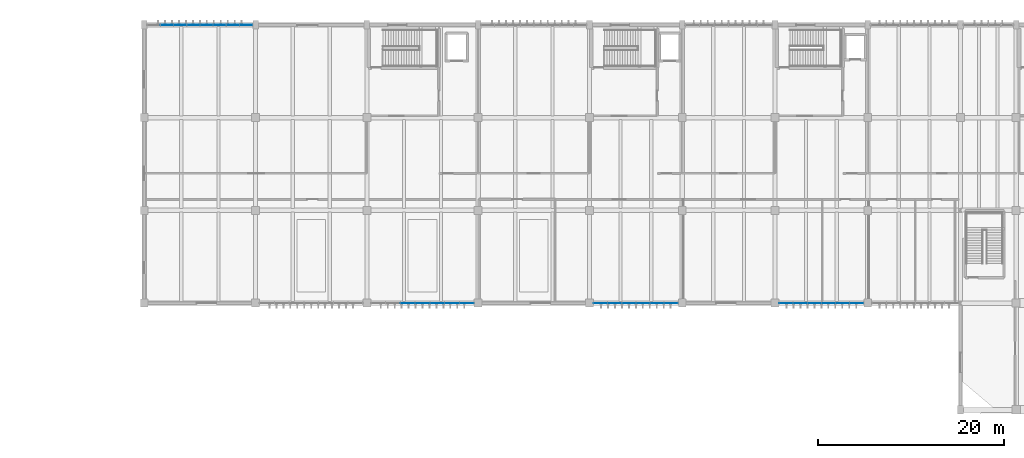
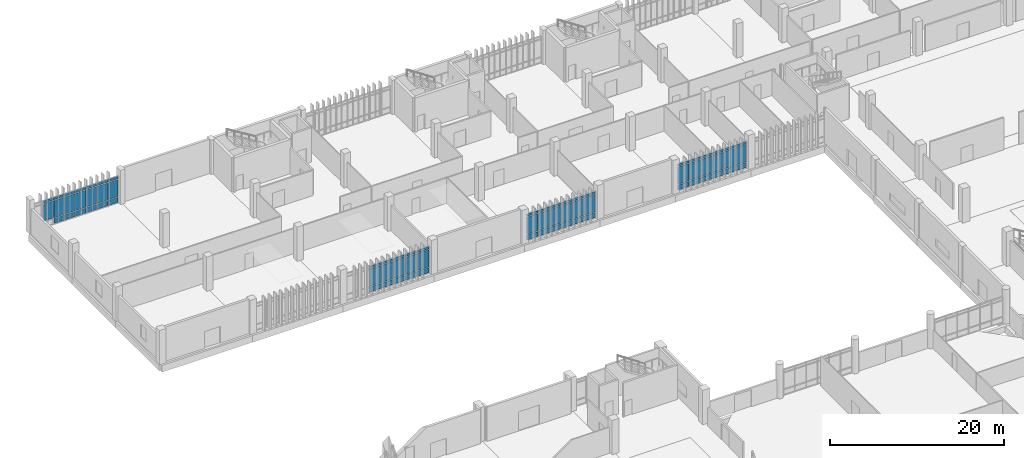
# One storey, part 64 of 87: 71 plates, 4 elements without a shape of their own.
"""IFC4 building model written with IfcOpenShell, lengths in metres."""

import ifcopenshell
import ifcopenshell.guid

model = None  # the IFC model being written
_history = None  # IfcOwnerHistory: only IFC2X3 demands one
_inside = {}  # id of a spatial element -> (the spatial element, [elements in it])
_under = {}  # id of a project, library or spatial element -> (it, [spatial elements below it])
_declared = {}  # id of a project -> (the project, [libraries it declares])
_typed = {}  # id of a type object -> (the type object, [elements of that type])
_made_of = {}  # id of a material, layer set ... -> (it, [elements and type objects made of it])


def new_model(schema):
    """Start an empty IFC model of exactly this schema.

    Asked for "IFC4X3", IfcOpenShell would pick the latest addendum, in which some entities
    have other attributes; the version numbers below select the first issue.
    IFC2X3 requires an IfcOwnerHistory on every rooted entity: one is made here for all.
    """
    global model, _history
    if schema == "IFC4X3":
        model = ifcopenshell.file(schema_version=(4, 3, 0, 0))
    else:
        model = ifcopenshell.file(schema=schema)
    _inside.clear()
    _under.clear()
    _declared.clear()
    _typed.clear()
    _made_of.clear()
    _history = None
    if model.schema == "IFC2X3":
        org = make("IfcOrganization", Name="unknown")
        user = make(
            "IfcPersonAndOrganization",
            ThePerson=make("IfcPerson", FamilyName="unknown"),
            TheOrganization=org,
        )
        app = make(
            "IfcApplication",
            ApplicationDeveloper=org,
            Version="unknown",
            ApplicationFullName="unknown",
            ApplicationIdentifier="unknown",
        )
        _history = make(
            "IfcOwnerHistory",
            OwningUser=user,
            OwningApplication=app,
            ChangeAction="ADDED",
            CreationDate=0,
        )
    return model


def make(cls, **values):
    """One entity of the class cls with the attributes given. An attribute that is None is left unset."""
    return model.create_entity(
        cls, **{name: value for name, value in values.items() if value is not None}
    )


def rooted(cls, **values):
    """An entity with a GlobalId (a new one), such as an element, a storey or a relation."""
    return make(cls, GlobalId=ifcopenshell.guid.new(), OwnerHistory=_history, **values)


def si_unit(unit_type, name, prefix=None):
    """IfcSIUnit, for example si_unit("LENGTHUNIT", "METRE", prefix="MILLI")."""
    return make("IfcSIUnit", UnitType=unit_type, Prefix=prefix, Name=name)


def assignment(units):
    """IfcUnitAssignment: the units of a project."""
    return None if units is None else make("IfcUnitAssignment", Units=units)


def point(xyz):
    """IfcCartesianPoint."""
    return None if xyz is None else make("IfcCartesianPoint", Coordinates=xyz)


def direction(xyz):
    """IfcDirection."""
    return None if xyz is None else make("IfcDirection", DirectionRatios=xyz)


def frame(location, z_axis=None, x_axis=None):
    """IfcAxis2Placement3D, a coordinate frame: its origin and axes. An axis left out is left unset."""
    return make(
        "IfcAxis2Placement3D",
        Location=point(location),
        Axis=direction(z_axis),
        RefDirection=direction(x_axis),
    )


def frame_2d(location, x_axis=None):
    """IfcAxis2Placement2D, a coordinate frame in the plane: its origin and x axis."""
    return make(
        "IfcAxis2Placement2D", Location=point(location), RefDirection=direction(x_axis)
    )


def origin():
    """The frame at (0, 0, 0) with its axes left unset."""
    return frame((0.0, 0.0, 0.0))


def origin_2d():
    """The frame at (0, 0) in the plane with its x axis left unset."""
    return frame_2d((0.0, 0.0))


def place(relative_to, where):
    """IfcLocalPlacement: puts the frame where relative to a parent placement (None: the world)."""
    return make(
        "IfcLocalPlacement", PlacementRelTo=relative_to, RelativePlacement=where
    )


def context(
    kind, dimensions, precision=None, world=None, true_north=None, identifier=None
):
    """IfcGeometricRepresentationContext, for example the 3D "Model" context."""
    return make(
        "IfcGeometricRepresentationContext",
        ContextIdentifier=identifier,
        ContextType=kind,
        CoordinateSpaceDimension=dimensions,
        Precision=precision,
        WorldCoordinateSystem=world,
        TrueNorth=true_north,
    )


def subcontext(parent, identifier, kind, view, scale=None):
    """IfcGeometricRepresentationSubContext, for example "Body" below "Model"."""
    return make(
        "IfcGeometricRepresentationSubContext",
        ContextIdentifier=identifier,
        ContextType=kind,
        ParentContext=parent,
        TargetScale=scale,
        TargetView=view,
    )


def project(units=None, contexts=None):
    """IfcProject with its units and contexts."""
    return rooted(
        "IfcProject",
        Name="project",
        RepresentationContexts=contexts,
        UnitsInContext=assignment(units),
    )


def spatial(cls, under=None, at=None, **own):
    """A site, building, storey or space (cls), placed at a placement, below another one or the project."""
    s = rooted(cls, ObjectPlacement=at, **own)
    if under is not None:
        _under.setdefault(under.id(), (under, []))[1].append(s)
    return s


def profile(cls, at=None, kind="AREA", **sizes):
    """A parametric profile (cls). Its sizes go by their IFC names, for example OverallWidth=200.0."""
    return make(cls, ProfileType=kind, Position=at, **sizes)


def rectangle(**sizes):
    """IfcRectangleProfileDef."""
    return profile("IfcRectangleProfileDef", **sizes)


def extrude(swept, where, along, depth):
    """IfcExtrudedAreaSolid: the profile swept, set in the frame where, extruded along a direction by depth."""
    return make(
        "IfcExtrudedAreaSolid",
        SweptArea=swept,
        Position=where,
        ExtrudedDirection=direction(along),
        Depth=depth,
    )


def shape(context_of_items, identifier, shape_type, items):
    """IfcShapeRepresentation: the items that make up one representation, for example the "Body"."""
    return make(
        "IfcShapeRepresentation",
        ContextOfItems=context_of_items,
        RepresentationIdentifier=identifier,
        RepresentationType=shape_type,
        Items=items,
    )


def material(Name=None, Category=None):
    """IfcMaterial."""
    return make("IfcMaterial", Name=Name, Category=Category)


def layer(
    of_material, thickness, ventilated=None, Name=None, Category=None, Priority=None
):
    """IfcMaterialLayer: one layer of a wall or slab, of a material (None: an air gap)."""
    return make(
        "IfcMaterialLayer",
        Material=of_material,
        LayerThickness=thickness,
        IsVentilated=ventilated,
        Name=Name,
        Category=Category,
        Priority=Priority,
    )


def layer_set(layers, Name=None):
    """IfcMaterialLayerSet."""
    return make("IfcMaterialLayerSet", MaterialLayers=layers, LayerSetName=Name)


def made_of(thing, what):
    """Note that an element or type object is made of a material, layer set ...; save() writes the relation."""
    if what is not None:
        _made_of.setdefault(what.id(), (what, []))[1].append(thing)
    return thing


def type_object(cls, material=None, **own):
    """A type object (cls), such as IfcWallType, which elements share."""
    return made_of(rooted(cls, **own), material)


def element(
    cls,
    number,
    at=None,
    inside=None,
    cuts=None,
    type_object=None,
    material=None,
    context=None,
    identifier="Body",
    shape_type=None,
    held_by="IfcProductDefinitionShape",
    body=None,
    shapes=None,
    **own,
):
    """One element of the class cls, such as IfcWall. Its Tag is "e" and its number.

    at: its placement. inside: the storey or other place that contains it. cuts: it is an
    opening in that element (IfcRelVoidsElement). A single representation is given by context,
    identifier, shape_type and body (its items); several are given by shapes. held_by: the class
    of the entity that holds the representations. save() writes the other relations.
    """
    e = rooted(cls, Tag="e%d" % number, ObjectPlacement=at, **own)
    if body is not None:
        shapes = [shape(context, identifier, shape_type, body)]
    if shapes is not None:
        e.Representation = make(held_by, Representations=shapes)
    if inside is not None:
        _inside.setdefault(inside.id(), (inside, []))[1].append(e)
    if cuts is not None:
        rooted(
            "IfcRelVoidsElement", RelatingBuildingElement=cuts, RelatedOpeningElement=e
        )
    if type_object is not None:
        _typed.setdefault(type_object.id(), (type_object, []))[1].append(e)
    return made_of(e, material)


def aggregate(whole, parts):
    """IfcRelAggregates: a whole, such as a stair, and the parts it consists of."""
    return rooted("IfcRelAggregates", RelatingObject=whole, RelatedObjects=parts)


def save(model, path):
    """Write the relations noted so far, then the file.

    IfcRelAggregates (storeys below a building ...), IfcRelContainedInSpatialStructure (elements
    in a storey), IfcRelDefinesByType, IfcRelAssociatesMaterial and IfcRelDeclares: one each for
    every whole, place, type object, material and project.
    """
    for whole, parts in _under.values():
        aggregate(whole, parts)
    for where, things in _inside.values():
        rooted(
            "IfcRelContainedInSpatialStructure",
            RelatedElements=things,
            RelatingStructure=where,
        )
    for kind, things in _typed.values():
        rooted("IfcRelDefinesByType", RelatedObjects=things, RelatingType=kind)
    for what, things in _made_of.values():
        rooted("IfcRelAssociatesMaterial", RelatedObjects=things, RelatingMaterial=what)
    for by, libraries in _declared.values():
        rooted("IfcRelDeclares", RelatingContext=by, RelatedDefinitions=libraries)
    model.write(path)


model = new_model("IFC4")

# Units and contexts
model_context = context("Model", 3, precision=1e-05, world=origin(), true_north=direction((0.0, 1.0)))
body_context = subcontext(model_context, "Body", "Model", "MODEL_VIEW")
ifc_project = project(units=[si_unit("LENGTHUNIT", "METRE"), si_unit("AREAUNIT", "SQUARE_METRE"), si_unit("VOLUMEUNIT", "CUBIC_METRE"), si_unit("PLANEANGLEUNIT", "RADIAN"), si_unit("MASSUNIT", "GRAM", prefix="KILO")], contexts=[model_context])

# Site, building, storey
site_placement = place(None, origin())
site = spatial("IfcSite", under=ifc_project, at=site_placement, CompositionType="ELEMENT")
building_placement = place(site_placement, origin())
building = spatial("IfcBuilding", under=site, at=building_placement, Name="Mersad Railyard Sports Hall", CompositionType="ELEMENT")
storey_placement = place(building_placement, origin())
storey = spatial("IfcBuildingStorey", under=building, at=storey_placement, Name="L00", CompositionType="ELEMENT", Elevation=0.0)

# Curtain wall, plates
ifc_material_1 = material(Name="Aluminium 6063-T6", Category="aluminium")
ifc_layer_1 = layer(ifc_material_1, 0.199951171875)
ifc_layer_set_1 = layer_set([ifc_layer_1], Name="Aluminium 6063-T6")
curtain_wall_type_1 = type_object("IfcCurtainWallType", Name="ARC-CW-CW28", PredefinedType="USERDEFINED", material=ifc_layer_set_1)
curtain_wall_1_placement = place(storey_placement, origin())
curtain_wall_1 = element("IfcCurtainWall", 1, at=curtain_wall_1_placement, inside=storey, type_object=curtain_wall_type_1, Name="Curtain wall CW28-0083", ObjectType="CURTAIN WALL", PredefinedType="USERDEFINED")
ifc_material_2 = material(Name="Solar-control glass", Category="glass")
ifc_layer_2 = layer(ifc_material_2, 0.028076171875)
ifc_layer_set_2 = layer_set([ifc_layer_2], Name="Solar-control glass")
plate_type = type_object("IfcPlateType", Name="ARC-CW-PNL01", PredefinedType="CURTAIN_PANEL", material=ifc_layer_set_2)
plate_1_placement = place(storey_placement, frame((45.449951171875, 115.0, 0.89501953125), z_axis=(0.0, 0.0, 1.0), x_axis=(1.0, 0.0, 0.0)))
plate_1 = element("IfcPlate", 2, at=plate_1_placement, type_object=plate_type, Name="CW28 Glazed panel 2-2", PredefinedType="CURTAIN_PANEL", context=body_context, shape_type="SweptSolid", body=[
    extrude(rectangle(XDim=1.3759765625, YDim=0.028076171875, at=origin_2d()), origin(), (0.0, 0.0, 1.0), 2.409912109375),
])
plate_2_placement = place(storey_placement, frame((45.449951171875, 115.0, 3.39501953125), z_axis=(0.0, 0.0, 1.0), x_axis=(1.0, 0.0, 0.0)))
plate_2 = element("IfcPlate", 3, at=plate_2_placement, type_object=plate_type, Name="CW28 Glazed panel 2-3", PredefinedType="CURTAIN_PANEL", context=body_context, shape_type="SweptSolid", body=[
    extrude(rectangle(XDim=1.3759765625, YDim=0.028076171875, at=origin_2d()), origin(), (0.0, 0.0, 1.0), 0.35009765625),
])
plate_3_placement = place(storey_placement, frame((46.8701171875, 115.0, 0.0849609375), z_axis=(0.0, 0.0, 1.0), x_axis=(1.0, 0.0, 0.0)))
plate_3 = element("IfcPlate", 4, at=plate_3_placement, type_object=plate_type, Name="CW28 Glazed panel 3-1", PredefinedType="CURTAIN_PANEL", context=body_context, shape_type="SweptSolid", body=[
    extrude(rectangle(XDim=1.3759765625, YDim=0.028076171875, at=origin_2d()), origin(), (0.0, 0.0, 1.0), 0.719970703125),
])
plate_4_placement = place(storey_placement, frame((46.8701171875, 115.0, 0.89501953125), z_axis=(0.0, 0.0, 1.0), x_axis=(1.0, 0.0, 0.0)))
plate_4 = element("IfcPlate", 5, at=plate_4_placement, type_object=plate_type, Name="CW28 Glazed panel 3-2", PredefinedType="CURTAIN_PANEL", context=body_context, shape_type="SweptSolid", body=[
    extrude(rectangle(XDim=1.3759765625, YDim=0.028076171875, at=origin_2d()), origin(), (0.0, 0.0, 1.0), 2.409912109375),
])
plate_5_placement = place(storey_placement, frame((46.8701171875, 115.0, 3.39501953125), z_axis=(0.0, 0.0, 1.0), x_axis=(1.0, 0.0, 0.0)))
plate_5 = element("IfcPlate", 6, at=plate_5_placement, type_object=plate_type, Name="CW28 Glazed panel 3-3", PredefinedType="CURTAIN_PANEL", context=body_context, shape_type="SweptSolid", body=[
    extrude(rectangle(XDim=1.3759765625, YDim=0.028076171875, at=origin_2d()), origin(), (0.0, 0.0, 1.0), 0.35009765625),
])
plate_6_placement = place(storey_placement, frame((48.2900390625, 115.0, 0.0849609375), z_axis=(0.0, 0.0, 1.0), x_axis=(1.0, 0.0, 0.0)))
plate_6 = element("IfcPlate", 7, at=plate_6_placement, type_object=plate_type, Name="CW28 Glazed panel 4-1", PredefinedType="CURTAIN_PANEL", context=body_context, shape_type="SweptSolid", body=[
    extrude(rectangle(XDim=1.3759765625, YDim=0.028076171875, at=origin_2d()), origin(), (0.0, 0.0, 1.0), 0.719970703125),
])
plate_7_placement = place(storey_placement, frame((48.2900390625, 115.0, 0.89501953125), z_axis=(0.0, 0.0, 1.0), x_axis=(1.0, 0.0, 0.0)))
plate_7 = element("IfcPlate", 8, at=plate_7_placement, type_object=plate_type, Name="CW28 Glazed panel 4-2", PredefinedType="CURTAIN_PANEL", context=body_context, shape_type="SweptSolid", body=[
    extrude(rectangle(XDim=1.3759765625, YDim=0.028076171875, at=origin_2d()), origin(), (0.0, 0.0, 1.0), 2.409912109375),
])
plate_8_placement = place(storey_placement, frame((48.2900390625, 115.0, 3.39501953125), z_axis=(0.0, 0.0, 1.0), x_axis=(1.0, 0.0, 0.0)))
plate_8 = element("IfcPlate", 9, at=plate_8_placement, type_object=plate_type, Name="CW28 Glazed panel 4-3", PredefinedType="CURTAIN_PANEL", context=body_context, shape_type="SweptSolid", body=[
    extrude(rectangle(XDim=1.3759765625, YDim=0.028076171875, at=origin_2d()), origin(), (0.0, 0.0, 1.0), 0.35009765625),
])
plate_9_placement = place(storey_placement, frame((49.7099609375, 115.0, 0.0849609375), z_axis=(0.0, 0.0, 1.0), x_axis=(1.0, 0.0, 0.0)))
plate_9 = element("IfcPlate", 10, at=plate_9_placement, type_object=plate_type, Name="CW28 Glazed panel 5-1", PredefinedType="CURTAIN_PANEL", context=body_context, shape_type="SweptSolid", body=[
    extrude(rectangle(XDim=1.3759765625, YDim=0.028076171875, at=origin_2d()), origin(), (0.0, 0.0, 1.0), 0.719970703125),
])
plate_10_placement = place(storey_placement, frame((49.7099609375, 115.0, 0.89501953125), z_axis=(0.0, 0.0, 1.0), x_axis=(1.0, 0.0, 0.0)))
plate_10 = element("IfcPlate", 11, at=plate_10_placement, type_object=plate_type, Name="CW28 Glazed panel 5-2", PredefinedType="CURTAIN_PANEL", context=body_context, shape_type="SweptSolid", body=[
    extrude(rectangle(XDim=1.3759765625, YDim=0.028076171875, at=origin_2d()), origin(), (0.0, 0.0, 1.0), 2.409912109375),
])
plate_11_placement = place(storey_placement, frame((49.7099609375, 115.0, 3.39501953125), z_axis=(0.0, 0.0, 1.0), x_axis=(1.0, 0.0, 0.0)))
plate_11 = element("IfcPlate", 12, at=plate_11_placement, type_object=plate_type, Name="CW28 Glazed panel 5-3", PredefinedType="CURTAIN_PANEL", context=body_context, shape_type="SweptSolid", body=[
    extrude(rectangle(XDim=1.3759765625, YDim=0.028076171875, at=origin_2d()), origin(), (0.0, 0.0, 1.0), 0.35009765625),
])
plate_12_placement = place(storey_placement, frame((51.1298828125, 115.0, 0.0849609375), z_axis=(0.0, 0.0, 1.0), x_axis=(1.0, 0.0, 0.0)))
plate_12 = element("IfcPlate", 13, at=plate_12_placement, type_object=plate_type, Name="CW28 Glazed panel 6-1", PredefinedType="CURTAIN_PANEL", context=body_context, shape_type="SweptSolid", body=[
    extrude(rectangle(XDim=1.3759765625, YDim=0.028076171875, at=origin_2d()), origin(), (0.0, 0.0, 1.0), 0.719970703125),
])
plate_13_placement = place(storey_placement, frame((51.1298828125, 115.0, 0.89501953125), z_axis=(0.0, 0.0, 1.0), x_axis=(1.0, 0.0, 0.0)))
plate_13 = element("IfcPlate", 14, at=plate_13_placement, type_object=plate_type, Name="CW28 Glazed panel 6-2", PredefinedType="CURTAIN_PANEL", context=body_context, shape_type="SweptSolid", body=[
    extrude(rectangle(XDim=1.3759765625, YDim=0.028076171875, at=origin_2d()), origin(), (0.0, 0.0, 1.0), 2.409912109375),
])
plate_14_placement = place(storey_placement, frame((51.1298828125, 115.0, 3.39501953125), z_axis=(0.0, 0.0, 1.0), x_axis=(1.0, 0.0, 0.0)))
plate_14 = element("IfcPlate", 15, at=plate_14_placement, type_object=plate_type, Name="CW28 Glazed panel 6-3", PredefinedType="CURTAIN_PANEL", context=body_context, shape_type="SweptSolid", body=[
    extrude(rectangle(XDim=1.3759765625, YDim=0.028076171875, at=origin_2d()), origin(), (0.0, 0.0, 1.0), 0.35009765625),
])
plate_15_placement = place(storey_placement, frame((52.550048828125, 115.0, 0.0849609375), z_axis=(0.0, 0.0, 1.0), x_axis=(1.0, 0.0, 0.0)))
plate_15 = element("IfcPlate", 16, at=plate_15_placement, type_object=plate_type, Name="CW28 Glazed panel 7-1", PredefinedType="CURTAIN_PANEL", context=body_context, shape_type="SweptSolid", body=[
    extrude(rectangle(XDim=1.3759765625, YDim=0.028076171875, at=origin_2d()), origin(), (0.0, 0.0, 1.0), 0.719970703125),
])
plate_16_placement = place(storey_placement, frame((52.550048828125, 115.0, 0.89501953125), z_axis=(0.0, 0.0, 1.0), x_axis=(1.0, 0.0, 0.0)))
plate_16 = element("IfcPlate", 17, at=plate_16_placement, type_object=plate_type, Name="CW28 Glazed panel 7-2", PredefinedType="CURTAIN_PANEL", context=body_context, shape_type="SweptSolid", body=[
    extrude(rectangle(XDim=1.3759765625, YDim=0.028076171875, at=origin_2d()), origin(), (0.0, 0.0, 1.0), 2.409912109375),
])
plate_17_placement = place(storey_placement, frame((52.550048828125, 115.0, 3.39501953125), z_axis=(0.0, 0.0, 1.0), x_axis=(1.0, 0.0, 0.0)))
plate_17 = element("IfcPlate", 18, at=plate_17_placement, type_object=plate_type, Name="CW28 Glazed panel 7-3", PredefinedType="CURTAIN_PANEL", context=body_context, shape_type="SweptSolid", body=[
    extrude(rectangle(XDim=1.3759765625, YDim=0.028076171875, at=origin_2d()), origin(), (0.0, 0.0, 1.0), 0.35009765625),
])
plate_18_placement = place(storey_placement, frame((53.969970703125, 115.0, 0.0849609375), z_axis=(0.0, 0.0, 1.0), x_axis=(1.0, 0.0, 0.0)))
plate_18 = element("IfcPlate", 19, at=plate_18_placement, type_object=plate_type, Name="CW28 Glazed panel 8-1", PredefinedType="CURTAIN_PANEL", context=body_context, shape_type="SweptSolid", body=[
    extrude(rectangle(XDim=1.3759765625, YDim=0.028076171875, at=origin_2d()), origin(), (0.0, 0.0, 1.0), 0.719970703125),
])
plate_19_placement = place(storey_placement, frame((53.969970703125, 115.0, 0.89501953125), z_axis=(0.0, 0.0, 1.0), x_axis=(1.0, 0.0, 0.0)))
plate_19 = element("IfcPlate", 20, at=plate_19_placement, type_object=plate_type, Name="CW28 Glazed panel 8-2", PredefinedType="CURTAIN_PANEL", context=body_context, shape_type="SweptSolid", body=[
    extrude(rectangle(XDim=1.3759765625, YDim=0.028076171875, at=origin_2d()), origin(), (0.0, 0.0, 1.0), 2.409912109375),
])
plate_20_placement = place(storey_placement, frame((53.969970703125, 115.0, 3.39501953125), z_axis=(0.0, 0.0, 1.0), x_axis=(1.0, 0.0, 0.0)))
plate_20 = element("IfcPlate", 21, at=plate_20_placement, type_object=plate_type, Name="CW28 Glazed panel 8-3", PredefinedType="CURTAIN_PANEL", context=body_context, shape_type="SweptSolid", body=[
    extrude(rectangle(XDim=1.3759765625, YDim=0.028076171875, at=origin_2d()), origin(), (0.0, 0.0, 1.0), 0.35009765625),
])
aggregate(curtain_wall_1, [plate_1, plate_2, plate_3, plate_4, plate_5, plate_6, plate_7, plate_8, plate_9, plate_10, plate_11, plate_12, plate_13, plate_14, plate_15, plate_16, plate_17, plate_18, plate_19, plate_20])

ifc_layer_3 = layer(ifc_material_1, 0.159912109375)
ifc_layer_set_3 = layer_set([ifc_layer_3], Name="Aluminium 6063-T6")
curtain_wall_type_2 = type_object("IfcCurtainWallType", Name="ARC-CW-CW31", PredefinedType="USERDEFINED", material=ifc_layer_set_3)
curtain_wall_2_placement = place(storey_placement, origin())
curtain_wall_2 = element("IfcCurtainWall", 22, at=curtain_wall_2_placement, inside=storey, type_object=curtain_wall_type_2, Name="Curtain wall CW31-0091", ObjectType="CURTAIN WALL", PredefinedType="USERDEFINED")
plate_21_placement = place(storey_placement, frame((77.761474609375, 85.0, 0.0849609375), z_axis=(0.0, 0.0, 1.0), x_axis=(-1.0, 0.0, 0.0)))
plate_21 = element("IfcPlate", 23, at=plate_21_placement, type_object=plate_type, Name="CW31 Glazed panel 1-1", PredefinedType="CURTAIN_PANEL", context=body_context, shape_type="SweptSolid", body=[
    extrude(rectangle(XDim=1.543212890625, YDim=0.028076171875, at=origin_2d()), origin(), (0.0, 0.0, 1.0), 0.719970703125),
])
plate_22_placement = place(storey_placement, frame((77.761474609375, 85.0, 0.89501953125), z_axis=(0.0, 0.0, 1.0), x_axis=(-1.0, 0.0, 0.0)))
plate_22 = element("IfcPlate", 24, at=plate_22_placement, type_object=plate_type, Name="CW31 Glazed panel 1-2", PredefinedType="CURTAIN_PANEL", context=body_context, shape_type="SweptSolid", body=[
    extrude(rectangle(XDim=1.543212890625, YDim=0.028076171875, at=origin_2d()), origin(), (0.0, 0.0, 1.0), 2.409912109375),
])
plate_23_placement = place(storey_placement, frame((77.761474609375, 85.0, 3.39501953125), z_axis=(0.0, 0.0, 1.0), x_axis=(-1.0, 0.0, 0.0)))
plate_23 = element("IfcPlate", 25, at=plate_23_placement, type_object=plate_type, Name="CW31 Glazed panel 1-3", PredefinedType="CURTAIN_PANEL", context=body_context, shape_type="SweptSolid", body=[
    extrude(rectangle(XDim=1.543212890625, YDim=0.028076171875, at=origin_2d()), origin(), (0.0, 0.0, 1.0), 0.35009765625),
])
plate_24_placement = place(storey_placement, frame((76.17431640625, 85.0, 0.0849609375), z_axis=(0.0, 0.0, 1.0), x_axis=(-1.0, 0.0, 0.0)))
plate_24 = element("IfcPlate", 26, at=plate_24_placement, type_object=plate_type, Name="CW31 Glazed panel 2-1", PredefinedType="CURTAIN_PANEL", context=body_context, shape_type="SweptSolid", body=[
    extrude(rectangle(XDim=1.543212890625, YDim=0.028076171875, at=origin_2d()), origin(), (0.0, 0.0, 1.0), 0.719970703125),
])
plate_25_placement = place(storey_placement, frame((76.17431640625, 85.0, 0.89501953125), z_axis=(0.0, 0.0, 1.0), x_axis=(-1.0, 0.0, 0.0)))
plate_25 = element("IfcPlate", 27, at=plate_25_placement, type_object=plate_type, Name="CW31 Glazed panel 2-2", PredefinedType="CURTAIN_PANEL", context=body_context, shape_type="SweptSolid", body=[
    extrude(rectangle(XDim=1.543212890625, YDim=0.028076171875, at=origin_2d()), origin(), (0.0, 0.0, 1.0), 2.409912109375),
])
plate_26_placement = place(storey_placement, frame((76.17431640625, 85.0, 3.39501953125), z_axis=(0.0, 0.0, 1.0), x_axis=(-1.0, 0.0, 0.0)))
plate_26 = element("IfcPlate", 28, at=plate_26_placement, type_object=plate_type, Name="CW31 Glazed panel 2-3", PredefinedType="CURTAIN_PANEL", context=body_context, shape_type="SweptSolid", body=[
    extrude(rectangle(XDim=1.543212890625, YDim=0.028076171875, at=origin_2d()), origin(), (0.0, 0.0, 1.0), 0.35009765625),
])
plate_27_placement = place(storey_placement, frame((74.587158203125, 85.0, 0.0849609375), z_axis=(0.0, 0.0, 1.0), x_axis=(-1.0, 0.0, 0.0)))
plate_27 = element("IfcPlate", 29, at=plate_27_placement, type_object=plate_type, Name="CW31 Glazed panel 3-1", PredefinedType="CURTAIN_PANEL", context=body_context, shape_type="SweptSolid", body=[
    extrude(rectangle(XDim=1.543212890625, YDim=0.028076171875, at=origin_2d()), origin(), (0.0, 0.0, 1.0), 0.719970703125),
])
plate_28_placement = place(storey_placement, frame((74.587158203125, 85.0, 0.89501953125), z_axis=(0.0, 0.0, 1.0), x_axis=(-1.0, 0.0, 0.0)))
plate_28 = element("IfcPlate", 30, at=plate_28_placement, type_object=plate_type, Name="CW31 Glazed panel 3-2", PredefinedType="CURTAIN_PANEL", context=body_context, shape_type="SweptSolid", body=[
    extrude(rectangle(XDim=1.543212890625, YDim=0.028076171875, at=origin_2d()), origin(), (0.0, 0.0, 1.0), 2.409912109375),
])
plate_29_placement = place(storey_placement, frame((74.587158203125, 85.0, 3.39501953125), z_axis=(0.0, 0.0, 1.0), x_axis=(-1.0, 0.0, 0.0)))
plate_29 = element("IfcPlate", 31, at=plate_29_placement, type_object=plate_type, Name="CW31 Glazed panel 3-3", PredefinedType="CURTAIN_PANEL", context=body_context, shape_type="SweptSolid", body=[
    extrude(rectangle(XDim=1.543212890625, YDim=0.028076171875, at=origin_2d()), origin(), (0.0, 0.0, 1.0), 0.35009765625),
])
plate_30_placement = place(storey_placement, frame((73.0, 85.0, 0.0849609375), z_axis=(0.0, 0.0, 1.0), x_axis=(-1.0, 0.0, 0.0)))
plate_30 = element("IfcPlate", 32, at=plate_30_placement, type_object=plate_type, Name="CW31 Glazed panel 4-1", PredefinedType="CURTAIN_PANEL", context=body_context, shape_type="SweptSolid", body=[
    extrude(rectangle(XDim=1.543212890625, YDim=0.028076171875, at=origin_2d()), origin(), (0.0, 0.0, 1.0), 0.719970703125),
])
plate_31_placement = place(storey_placement, frame((73.0, 85.0, 0.89501953125), z_axis=(0.0, 0.0, 1.0), x_axis=(-1.0, 0.0, 0.0)))
plate_31 = element("IfcPlate", 33, at=plate_31_placement, type_object=plate_type, Name="CW31 Glazed panel 4-2", PredefinedType="CURTAIN_PANEL", context=body_context, shape_type="SweptSolid", body=[
    extrude(rectangle(XDim=1.543212890625, YDim=0.028076171875, at=origin_2d()), origin(), (0.0, 0.0, 1.0), 2.409912109375),
])
plate_32_placement = place(storey_placement, frame((73.0, 85.0, 3.39501953125), z_axis=(0.0, 0.0, 1.0), x_axis=(-1.0, 0.0, 0.0)))
plate_32 = element("IfcPlate", 34, at=plate_32_placement, type_object=plate_type, Name="CW31 Glazed panel 4-3", PredefinedType="CURTAIN_PANEL", context=body_context, shape_type="SweptSolid", body=[
    extrude(rectangle(XDim=1.543212890625, YDim=0.028076171875, at=origin_2d()), origin(), (0.0, 0.0, 1.0), 0.35009765625),
])
plate_33_placement = place(storey_placement, frame((71.412841796875, 85.0, 0.0849609375), z_axis=(0.0, 0.0, 1.0), x_axis=(-1.0, 0.0, 0.0)))
plate_33 = element("IfcPlate", 35, at=plate_33_placement, type_object=plate_type, Name="CW31 Glazed panel 5-1", PredefinedType="CURTAIN_PANEL", context=body_context, shape_type="SweptSolid", body=[
    extrude(rectangle(XDim=1.543212890625, YDim=0.028076171875, at=origin_2d()), origin(), (0.0, 0.0, 1.0), 0.719970703125),
])
plate_34_placement = place(storey_placement, frame((71.412841796875, 85.0, 0.89501953125), z_axis=(0.0, 0.0, 1.0), x_axis=(-1.0, 0.0, 0.0)))
plate_34 = element("IfcPlate", 36, at=plate_34_placement, type_object=plate_type, Name="CW31 Glazed panel 5-2", PredefinedType="CURTAIN_PANEL", context=body_context, shape_type="SweptSolid", body=[
    extrude(rectangle(XDim=1.543212890625, YDim=0.028076171875, at=origin_2d()), origin(), (0.0, 0.0, 1.0), 2.409912109375),
])
plate_35_placement = place(storey_placement, frame((71.412841796875, 85.0, 3.39501953125), z_axis=(0.0, 0.0, 1.0), x_axis=(-1.0, 0.0, 0.0)))
plate_35 = element("IfcPlate", 37, at=plate_35_placement, type_object=plate_type, Name="CW31 Glazed panel 5-3", PredefinedType="CURTAIN_PANEL", context=body_context, shape_type="SweptSolid", body=[
    extrude(rectangle(XDim=1.543212890625, YDim=0.028076171875, at=origin_2d()), origin(), (0.0, 0.0, 1.0), 0.35009765625),
])
aggregate(curtain_wall_2, [plate_21, plate_22, plate_23, plate_24, plate_25, plate_26, plate_27, plate_28, plate_29, plate_30, plate_31, plate_32, plate_33, plate_34, plate_35])

ifc_layer_4 = layer(ifc_material_1, 0.159912109375)
ifc_layer_set_4 = layer_set([ifc_layer_4], Name="Aluminium 6063-T6")
curtain_wall_type_3 = type_object("IfcCurtainWallType", Name="ARC-CW-CW32", PredefinedType="USERDEFINED", material=ifc_layer_set_4)
curtain_wall_3_placement = place(storey_placement, origin())
curtain_wall_3 = element("IfcCurtainWall", 38, at=curtain_wall_3_placement, inside=storey, type_object=curtain_wall_type_3, Name="Curtain wall CW32-0092", ObjectType="CURTAIN WALL", PredefinedType="USERDEFINED")
plate_36_placement = place(storey_placement, frame((99.7958984375, 85.0, 0.0849609375), z_axis=(0.0, 0.0, 1.0), x_axis=(-1.0, 0.0, 0.0)))
plate_36 = element("IfcPlate", 39, at=plate_36_placement, type_object=plate_type, Name="CW32 Glazed panel 1-1", PredefinedType="CURTAIN_PANEL", context=body_context, shape_type="SweptSolid", body=[
    extrude(rectangle(XDim=1.474365234375, YDim=0.028076171875, at=origin_2d()), origin(), (0.0, 0.0, 1.0), 0.719970703125),
])
plate_37_placement = place(storey_placement, frame((99.7958984375, 85.0, 0.89501953125), z_axis=(0.0, 0.0, 1.0), x_axis=(-1.0, 0.0, 0.0)))
plate_37 = element("IfcPlate", 40, at=plate_37_placement, type_object=plate_type, Name="CW32 Glazed panel 1-2", PredefinedType="CURTAIN_PANEL", context=body_context, shape_type="SweptSolid", body=[
    extrude(rectangle(XDim=1.474365234375, YDim=0.028076171875, at=origin_2d()), origin(), (0.0, 0.0, 1.0), 2.409912109375),
])
plate_38_placement = place(storey_placement, frame((99.7958984375, 85.0, 3.39501953125), z_axis=(0.0, 0.0, 1.0), x_axis=(-1.0, 0.0, 0.0)))
plate_38 = element("IfcPlate", 41, at=plate_38_placement, type_object=plate_type, Name="CW32 Glazed panel 1-3", PredefinedType="CURTAIN_PANEL", context=body_context, shape_type="SweptSolid", body=[
    extrude(rectangle(XDim=1.474365234375, YDim=0.028076171875, at=origin_2d()), origin(), (0.0, 0.0, 1.0), 0.35009765625),
])
plate_39_placement = place(storey_placement, frame((98.277587890625, 85.0, 0.0849609375), z_axis=(0.0, 0.0, 1.0), x_axis=(-1.0, 0.0, 0.0)))
plate_39 = element("IfcPlate", 42, at=plate_39_placement, type_object=plate_type, Name="CW32 Glazed panel 2-1", PredefinedType="CURTAIN_PANEL", context=body_context, shape_type="SweptSolid", body=[
    extrude(rectangle(XDim=1.474365234375, YDim=0.028076171875, at=origin_2d()), origin(), (0.0, 0.0, 1.0), 0.719970703125),
])
plate_40_placement = place(storey_placement, frame((98.277587890625, 85.0, 0.89501953125), z_axis=(0.0, 0.0, 1.0), x_axis=(-1.0, 0.0, 0.0)))
plate_40 = element("IfcPlate", 43, at=plate_40_placement, type_object=plate_type, Name="CW32 Glazed panel 2-2", PredefinedType="CURTAIN_PANEL", context=body_context, shape_type="SweptSolid", body=[
    extrude(rectangle(XDim=1.474365234375, YDim=0.028076171875, at=origin_2d()), origin(), (0.0, 0.0, 1.0), 2.409912109375),
])
plate_41_placement = place(storey_placement, frame((98.277587890625, 85.0, 3.39501953125), z_axis=(0.0, 0.0, 1.0), x_axis=(-1.0, 0.0, 0.0)))
plate_41 = element("IfcPlate", 44, at=plate_41_placement, type_object=plate_type, Name="CW32 Glazed panel 2-3", PredefinedType="CURTAIN_PANEL", context=body_context, shape_type="SweptSolid", body=[
    extrude(rectangle(XDim=1.474365234375, YDim=0.028076171875, at=origin_2d()), origin(), (0.0, 0.0, 1.0), 0.35009765625),
])
plate_42_placement = place(storey_placement, frame((96.75927734375, 85.0, 0.0849609375), z_axis=(0.0, 0.0, 1.0), x_axis=(-1.0, 0.0, 0.0)))
plate_42 = element("IfcPlate", 45, at=plate_42_placement, type_object=plate_type, Name="CW32 Glazed panel 3-1", PredefinedType="CURTAIN_PANEL", context=body_context, shape_type="SweptSolid", body=[
    extrude(rectangle(XDim=1.474365234375, YDim=0.028076171875, at=origin_2d()), origin(), (0.0, 0.0, 1.0), 0.719970703125),
])
plate_43_placement = place(storey_placement, frame((96.75927734375, 85.0, 0.89501953125), z_axis=(0.0, 0.0, 1.0), x_axis=(-1.0, 0.0, 0.0)))
plate_43 = element("IfcPlate", 46, at=plate_43_placement, type_object=plate_type, Name="CW32 Glazed panel 3-2", PredefinedType="CURTAIN_PANEL", context=body_context, shape_type="SweptSolid", body=[
    extrude(rectangle(XDim=1.474365234375, YDim=0.028076171875, at=origin_2d()), origin(), (0.0, 0.0, 1.0), 2.409912109375),
])
plate_44_placement = place(storey_placement, frame((96.75927734375, 85.0, 3.39501953125), z_axis=(0.0, 0.0, 1.0), x_axis=(-1.0, 0.0, 0.0)))
plate_44 = element("IfcPlate", 47, at=plate_44_placement, type_object=plate_type, Name="CW32 Glazed panel 3-3", PredefinedType="CURTAIN_PANEL", context=body_context, shape_type="SweptSolid", body=[
    extrude(rectangle(XDim=1.474365234375, YDim=0.028076171875, at=origin_2d()), origin(), (0.0, 0.0, 1.0), 0.35009765625),
])
plate_45_placement = place(storey_placement, frame((95.24072265625, 85.0, 0.0849609375), z_axis=(0.0, 0.0, 1.0), x_axis=(-1.0, 0.0, 0.0)))
plate_45 = element("IfcPlate", 48, at=plate_45_placement, type_object=plate_type, Name="CW32 Glazed panel 4-1", PredefinedType="CURTAIN_PANEL", context=body_context, shape_type="SweptSolid", body=[
    extrude(rectangle(XDim=1.474365234375, YDim=0.028076171875, at=origin_2d()), origin(), (0.0, 0.0, 1.0), 0.719970703125),
])
plate_46_placement = place(storey_placement, frame((95.24072265625, 85.0, 0.89501953125), z_axis=(0.0, 0.0, 1.0), x_axis=(-1.0, 0.0, 0.0)))
plate_46 = element("IfcPlate", 49, at=plate_46_placement, type_object=plate_type, Name="CW32 Glazed panel 4-2", PredefinedType="CURTAIN_PANEL", context=body_context, shape_type="SweptSolid", body=[
    extrude(rectangle(XDim=1.474365234375, YDim=0.028076171875, at=origin_2d()), origin(), (0.0, 0.0, 1.0), 2.409912109375),
])
plate_47_placement = place(storey_placement, frame((95.24072265625, 85.0, 3.39501953125), z_axis=(0.0, 0.0, 1.0), x_axis=(-1.0, 0.0, 0.0)))
plate_47 = element("IfcPlate", 50, at=plate_47_placement, type_object=plate_type, Name="CW32 Glazed panel 4-3", PredefinedType="CURTAIN_PANEL", context=body_context, shape_type="SweptSolid", body=[
    extrude(rectangle(XDim=1.474365234375, YDim=0.028076171875, at=origin_2d()), origin(), (0.0, 0.0, 1.0), 0.35009765625),
])
plate_48_placement = place(storey_placement, frame((93.722412109375, 85.0, 0.0849609375), z_axis=(0.0, 0.0, 1.0), x_axis=(-1.0, 0.0, 0.0)))
plate_48 = element("IfcPlate", 51, at=plate_48_placement, type_object=plate_type, Name="CW32 Glazed panel 5-1", PredefinedType="CURTAIN_PANEL", context=body_context, shape_type="SweptSolid", body=[
    extrude(rectangle(XDim=1.474365234375, YDim=0.028076171875, at=origin_2d()), origin(), (0.0, 0.0, 1.0), 0.719970703125),
])
plate_49_placement = place(storey_placement, frame((93.722412109375, 85.0, 0.89501953125), z_axis=(0.0, 0.0, 1.0), x_axis=(-1.0, 0.0, 0.0)))
plate_49 = element("IfcPlate", 52, at=plate_49_placement, type_object=plate_type, Name="CW32 Glazed panel 5-2", PredefinedType="CURTAIN_PANEL", context=body_context, shape_type="SweptSolid", body=[
    extrude(rectangle(XDim=1.474365234375, YDim=0.028076171875, at=origin_2d()), origin(), (0.0, 0.0, 1.0), 2.409912109375),
])
plate_50_placement = place(storey_placement, frame((93.722412109375, 85.0, 3.39501953125), z_axis=(0.0, 0.0, 1.0), x_axis=(-1.0, 0.0, 0.0)))
plate_50 = element("IfcPlate", 53, at=plate_50_placement, type_object=plate_type, Name="CW32 Glazed panel 5-3", PredefinedType="CURTAIN_PANEL", context=body_context, shape_type="SweptSolid", body=[
    extrude(rectangle(XDim=1.474365234375, YDim=0.028076171875, at=origin_2d()), origin(), (0.0, 0.0, 1.0), 0.35009765625),
])
plate_51_placement = place(storey_placement, frame((92.2041015625, 85.0, 0.0849609375), z_axis=(0.0, 0.0, 1.0), x_axis=(-1.0, 0.0, 0.0)))
plate_51 = element("IfcPlate", 54, at=plate_51_placement, type_object=plate_type, Name="CW32 Glazed panel 6-1", PredefinedType="CURTAIN_PANEL", context=body_context, shape_type="SweptSolid", body=[
    extrude(rectangle(XDim=1.474365234375, YDim=0.028076171875, at=origin_2d()), origin(), (0.0, 0.0, 1.0), 0.719970703125),
])
plate_52_placement = place(storey_placement, frame((92.2041015625, 85.0, 0.89501953125), z_axis=(0.0, 0.0, 1.0), x_axis=(-1.0, 0.0, 0.0)))
plate_52 = element("IfcPlate", 55, at=plate_52_placement, type_object=plate_type, Name="CW32 Glazed panel 6-2", PredefinedType="CURTAIN_PANEL", context=body_context, shape_type="SweptSolid", body=[
    extrude(rectangle(XDim=1.474365234375, YDim=0.028076171875, at=origin_2d()), origin(), (0.0, 0.0, 1.0), 2.409912109375),
])
plate_53_placement = place(storey_placement, frame((92.2041015625, 85.0, 3.39501953125), z_axis=(0.0, 0.0, 1.0), x_axis=(-1.0, 0.0, 0.0)))
plate_53 = element("IfcPlate", 56, at=plate_53_placement, type_object=plate_type, Name="CW32 Glazed panel 6-3", PredefinedType="CURTAIN_PANEL", context=body_context, shape_type="SweptSolid", body=[
    extrude(rectangle(XDim=1.474365234375, YDim=0.028076171875, at=origin_2d()), origin(), (0.0, 0.0, 1.0), 0.35009765625),
])
aggregate(curtain_wall_3, [plate_36, plate_37, plate_38, plate_39, plate_40, plate_41, plate_42, plate_43, plate_44, plate_45, plate_46, plate_47, plate_48, plate_49, plate_50, plate_51, plate_52, plate_53])

curtain_wall_4_placement = place(storey_placement, origin())
curtain_wall_4 = element("IfcCurtainWall", 57, at=curtain_wall_4_placement, inside=storey, type_object=curtain_wall_type_3, Name="Curtain wall CW32-0093", ObjectType="CURTAIN WALL", PredefinedType="USERDEFINED")
plate_54_placement = place(storey_placement, frame((119.7958984375, 85.0, 0.0849609375), z_axis=(0.0, 0.0, 1.0), x_axis=(-1.0, 0.0, 0.0)))
plate_54 = element("IfcPlate", 58, at=plate_54_placement, type_object=plate_type, Name="CW32 Glazed panel 1-1", PredefinedType="CURTAIN_PANEL", context=body_context, shape_type="SweptSolid", body=[
    extrude(rectangle(XDim=1.474365234375, YDim=0.028076171875, at=origin_2d()), origin(), (0.0, 0.0, 1.0), 0.719970703125),
])
plate_55_placement = place(storey_placement, frame((119.7958984375, 85.0, 0.89501953125), z_axis=(0.0, 0.0, 1.0), x_axis=(-1.0, 0.0, 0.0)))
plate_55 = element("IfcPlate", 59, at=plate_55_placement, type_object=plate_type, Name="CW32 Glazed panel 1-2", PredefinedType="CURTAIN_PANEL", context=body_context, shape_type="SweptSolid", body=[
    extrude(rectangle(XDim=1.474365234375, YDim=0.028076171875, at=origin_2d()), origin(), (0.0, 0.0, 1.0), 2.409912109375),
])
plate_56_placement = place(storey_placement, frame((119.7958984375, 85.0, 3.39501953125), z_axis=(0.0, 0.0, 1.0), x_axis=(-1.0, 0.0, 0.0)))
plate_56 = element("IfcPlate", 60, at=plate_56_placement, type_object=plate_type, Name="CW32 Glazed panel 1-3", PredefinedType="CURTAIN_PANEL", context=body_context, shape_type="SweptSolid", body=[
    extrude(rectangle(XDim=1.474365234375, YDim=0.028076171875, at=origin_2d()), origin(), (0.0, 0.0, 1.0), 0.35009765625),
])
plate_57_placement = place(storey_placement, frame((118.277587890625, 85.0, 0.0849609375), z_axis=(0.0, 0.0, 1.0), x_axis=(-1.0, 0.0, 0.0)))
plate_57 = element("IfcPlate", 61, at=plate_57_placement, type_object=plate_type, Name="CW32 Glazed panel 2-1", PredefinedType="CURTAIN_PANEL", context=body_context, shape_type="SweptSolid", body=[
    extrude(rectangle(XDim=1.474365234375, YDim=0.028076171875, at=origin_2d()), origin(), (0.0, 0.0, 1.0), 0.719970703125),
])
plate_58_placement = place(storey_placement, frame((118.277587890625, 85.0, 0.89501953125), z_axis=(0.0, 0.0, 1.0), x_axis=(-1.0, 0.0, 0.0)))
plate_58 = element("IfcPlate", 62, at=plate_58_placement, type_object=plate_type, Name="CW32 Glazed panel 2-2", PredefinedType="CURTAIN_PANEL", context=body_context, shape_type="SweptSolid", body=[
    extrude(rectangle(XDim=1.474365234375, YDim=0.028076171875, at=origin_2d()), origin(), (0.0, 0.0, 1.0), 2.409912109375),
])
plate_59_placement = place(storey_placement, frame((118.277587890625, 85.0, 3.39501953125), z_axis=(0.0, 0.0, 1.0), x_axis=(-1.0, 0.0, 0.0)))
plate_59 = element("IfcPlate", 63, at=plate_59_placement, type_object=plate_type, Name="CW32 Glazed panel 2-3", PredefinedType="CURTAIN_PANEL", context=body_context, shape_type="SweptSolid", body=[
    extrude(rectangle(XDim=1.474365234375, YDim=0.028076171875, at=origin_2d()), origin(), (0.0, 0.0, 1.0), 0.35009765625),
])
plate_60_placement = place(storey_placement, frame((116.75927734375, 85.0, 0.0849609375), z_axis=(0.0, 0.0, 1.0), x_axis=(-1.0, 0.0, 0.0)))
plate_60 = element("IfcPlate", 64, at=plate_60_placement, type_object=plate_type, Name="CW32 Glazed panel 3-1", PredefinedType="CURTAIN_PANEL", context=body_context, shape_type="SweptSolid", body=[
    extrude(rectangle(XDim=1.474365234375, YDim=0.028076171875, at=origin_2d()), origin(), (0.0, 0.0, 1.0), 0.719970703125),
])
plate_61_placement = place(storey_placement, frame((116.75927734375, 85.0, 0.89501953125), z_axis=(0.0, 0.0, 1.0), x_axis=(-1.0, 0.0, 0.0)))
plate_61 = element("IfcPlate", 65, at=plate_61_placement, type_object=plate_type, Name="CW32 Glazed panel 3-2", PredefinedType="CURTAIN_PANEL", context=body_context, shape_type="SweptSolid", body=[
    extrude(rectangle(XDim=1.474365234375, YDim=0.028076171875, at=origin_2d()), origin(), (0.0, 0.0, 1.0), 2.409912109375),
])
plate_62_placement = place(storey_placement, frame((116.75927734375, 85.0, 3.39501953125), z_axis=(0.0, 0.0, 1.0), x_axis=(-1.0, 0.0, 0.0)))
plate_62 = element("IfcPlate", 66, at=plate_62_placement, type_object=plate_type, Name="CW32 Glazed panel 3-3", PredefinedType="CURTAIN_PANEL", context=body_context, shape_type="SweptSolid", body=[
    extrude(rectangle(XDim=1.474365234375, YDim=0.028076171875, at=origin_2d()), origin(), (0.0, 0.0, 1.0), 0.35009765625),
])
plate_63_placement = place(storey_placement, frame((115.24072265625, 85.0, 0.0849609375), z_axis=(0.0, 0.0, 1.0), x_axis=(-1.0, 0.0, 0.0)))
plate_63 = element("IfcPlate", 67, at=plate_63_placement, type_object=plate_type, Name="CW32 Glazed panel 4-1", PredefinedType="CURTAIN_PANEL", context=body_context, shape_type="SweptSolid", body=[
    extrude(rectangle(XDim=1.474365234375, YDim=0.028076171875, at=origin_2d()), origin(), (0.0, 0.0, 1.0), 0.719970703125),
])
plate_64_placement = place(storey_placement, frame((115.24072265625, 85.0, 0.89501953125), z_axis=(0.0, 0.0, 1.0), x_axis=(-1.0, 0.0, 0.0)))
plate_64 = element("IfcPlate", 68, at=plate_64_placement, type_object=plate_type, Name="CW32 Glazed panel 4-2", PredefinedType="CURTAIN_PANEL", context=body_context, shape_type="SweptSolid", body=[
    extrude(rectangle(XDim=1.474365234375, YDim=0.028076171875, at=origin_2d()), origin(), (0.0, 0.0, 1.0), 2.409912109375),
])
plate_65_placement = place(storey_placement, frame((115.24072265625, 85.0, 3.39501953125), z_axis=(0.0, 0.0, 1.0), x_axis=(-1.0, 0.0, 0.0)))
plate_65 = element("IfcPlate", 69, at=plate_65_placement, type_object=plate_type, Name="CW32 Glazed panel 4-3", PredefinedType="CURTAIN_PANEL", context=body_context, shape_type="SweptSolid", body=[
    extrude(rectangle(XDim=1.474365234375, YDim=0.028076171875, at=origin_2d()), origin(), (0.0, 0.0, 1.0), 0.35009765625),
])
plate_66_placement = place(storey_placement, frame((113.722412109375, 85.0, 0.0849609375), z_axis=(0.0, 0.0, 1.0), x_axis=(-1.0, 0.0, 0.0)))
plate_66 = element("IfcPlate", 70, at=plate_66_placement, type_object=plate_type, Name="CW32 Glazed panel 5-1", PredefinedType="CURTAIN_PANEL", context=body_context, shape_type="SweptSolid", body=[
    extrude(rectangle(XDim=1.474365234375, YDim=0.028076171875, at=origin_2d()), origin(), (0.0, 0.0, 1.0), 0.719970703125),
])
plate_67_placement = place(storey_placement, frame((113.722412109375, 85.0, 0.89501953125), z_axis=(0.0, 0.0, 1.0), x_axis=(-1.0, 0.0, 0.0)))
plate_67 = element("IfcPlate", 71, at=plate_67_placement, type_object=plate_type, Name="CW32 Glazed panel 5-2", PredefinedType="CURTAIN_PANEL", context=body_context, shape_type="SweptSolid", body=[
    extrude(rectangle(XDim=1.474365234375, YDim=0.028076171875, at=origin_2d()), origin(), (0.0, 0.0, 1.0), 2.409912109375),
])
plate_68_placement = place(storey_placement, frame((113.722412109375, 85.0, 3.39501953125), z_axis=(0.0, 0.0, 1.0), x_axis=(-1.0, 0.0, 0.0)))
plate_68 = element("IfcPlate", 72, at=plate_68_placement, type_object=plate_type, Name="CW32 Glazed panel 5-3", PredefinedType="CURTAIN_PANEL", context=body_context, shape_type="SweptSolid", body=[
    extrude(rectangle(XDim=1.474365234375, YDim=0.028076171875, at=origin_2d()), origin(), (0.0, 0.0, 1.0), 0.35009765625),
])
plate_69_placement = place(storey_placement, frame((112.2041015625, 85.0, 0.0849609375), z_axis=(0.0, 0.0, 1.0), x_axis=(-1.0, 0.0, 0.0)))
plate_69 = element("IfcPlate", 73, at=plate_69_placement, type_object=plate_type, Name="CW32 Glazed panel 6-1", PredefinedType="CURTAIN_PANEL", context=body_context, shape_type="SweptSolid", body=[
    extrude(rectangle(XDim=1.474365234375, YDim=0.028076171875, at=origin_2d()), origin(), (0.0, 0.0, 1.0), 0.719970703125),
])
plate_70_placement = place(storey_placement, frame((112.2041015625, 85.0, 0.89501953125), z_axis=(0.0, 0.0, 1.0), x_axis=(-1.0, 0.0, 0.0)))
plate_70 = element("IfcPlate", 74, at=plate_70_placement, type_object=plate_type, Name="CW32 Glazed panel 6-2", PredefinedType="CURTAIN_PANEL", context=body_context, shape_type="SweptSolid", body=[
    extrude(rectangle(XDim=1.474365234375, YDim=0.028076171875, at=origin_2d()), origin(), (0.0, 0.0, 1.0), 2.409912109375),
])
plate_71_placement = place(storey_placement, frame((112.2041015625, 85.0, 3.39501953125), z_axis=(0.0, 0.0, 1.0), x_axis=(-1.0, 0.0, 0.0)))
plate_71 = element("IfcPlate", 75, at=plate_71_placement, type_object=plate_type, Name="CW32 Glazed panel 6-3", PredefinedType="CURTAIN_PANEL", context=body_context, shape_type="SweptSolid", body=[
    extrude(rectangle(XDim=1.474365234375, YDim=0.028076171875, at=origin_2d()), origin(), (0.0, 0.0, 1.0), 0.35009765625),
])
aggregate(curtain_wall_4, [plate_54, plate_55, plate_56, plate_57, plate_58, plate_59, plate_60, plate_61, plate_62, plate_63, plate_64, plate_65, plate_66, plate_67, plate_68, plate_69, plate_70, plate_71])

save(model, "model.ifc")
